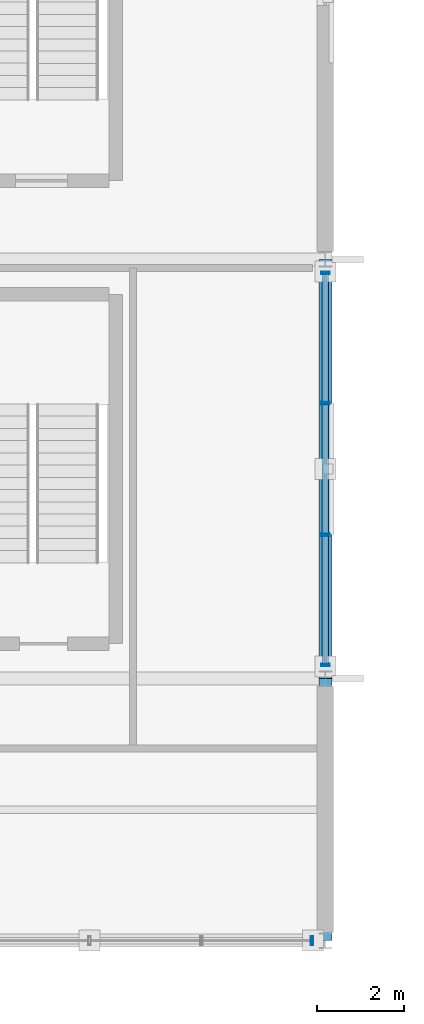
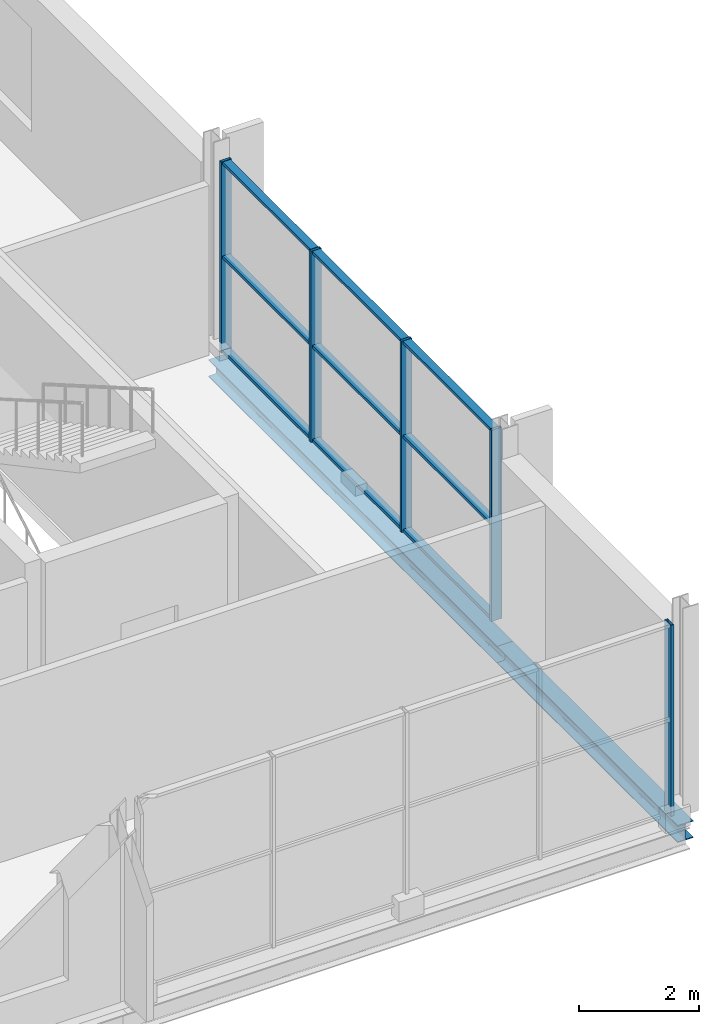
# One storey, part 84 of 117: 14 members, 2 beams, 2 elements without a shape of their own.
"""IFC4 building model written with IfcOpenShell, lengths in metres."""

from ifc_helpers import new_model, si_unit, direction, frame, origin, origin_2d, place, context, subcontext, project, spatial, hollow_rectangle, i_section, extrude, material, material_profile, profile_set, type_object, element, aggregate, save


model = new_model("IFC4")

# Units and contexts
model_context = context("Model", 3, precision=1e-05, world=origin(), true_north=direction((0.0, 1.0)))
body_context = subcontext(model_context, "Body", "Model", "MODEL_VIEW")
ifc_project = project(units=[si_unit("LENGTHUNIT", "METRE"), si_unit("AREAUNIT", "SQUARE_METRE"), si_unit("VOLUMEUNIT", "CUBIC_METRE"), si_unit("PLANEANGLEUNIT", "RADIAN"), si_unit("MASSUNIT", "GRAM", prefix="KILO")], contexts=[model_context])

# Site, building, storey
site_placement = place(None, origin())
site = spatial("IfcSite", under=ifc_project, at=site_placement, CompositionType="ELEMENT")
building_placement = place(site_placement, origin())
building = spatial("IfcBuilding", under=site, at=building_placement, Name="Merenkruunu Market Hall", CompositionType="ELEMENT")
storey_placement = place(building_placement, frame((0.0, 0.0, 10.199951171875)))
storey = spatial("IfcBuildingStorey", under=building, at=storey_placement, Name="L02", CompositionType="ELEMENT", Elevation=10.199951171875)

# Curtain wall, member
ifc_material_1 = material(Name="Powder-coated aluminium", Category="aluminium")
curtain_wall_type = type_object("IfcCurtainWallType", Name="Glazed Curtain Wall CW07", PredefinedType="USERDEFINED", material=ifc_material_1)
curtain_wall_1_placement = place(storey_placement, origin())
curtain_wall_1 = element("IfcCurtainWall", 1, at=curtain_wall_1_placement, inside=storey, type_object=curtain_wall_type, Name="CW-L02-CWM03-216", ObjectType="GLAZED_FACADE", PredefinedType="USERDEFINED")
ifc_material_profile_1 = material_profile(ifc_material_1, hollow_rectangle(XDim=0.06005859375, YDim=0.199951171875, WallThickness=0.0048828125, at=origin_2d()), Name="ALU 60x200x5")
ifc_profile_set_1 = profile_set([ifc_material_profile_1], Name="Powder-coated aluminium")
member_type_1 = type_object("IfcMemberType", Name="Curtain Wall Mullion CWM03", PredefinedType="MULLION", material=ifc_profile_set_1)
member_1_placement = place(storey_placement, frame((191.68994140625, 0.0, 0.0), z_axis=(0.0, 0.0, 1.0), x_axis=(-1.0, 0.0, 0.0)))
member_1 = element("IfcMember", 2, at=member_1_placement, type_object=member_type_1, Name="CW07 mullion 1", PredefinedType="MULLION", context=body_context, shape_type="SweptSolid", body=[
    extrude(hollow_rectangle(XDim=0.06005859375, YDim=0.199951171875, WallThickness=0.0048828125, at=origin_2d()), origin(), (0.0, 0.0, 1.0), 3.880126953125),
])
aggregate(curtain_wall_1, [member_1])

# Curtain wall, members
curtain_wall_2_placement = place(storey_placement, origin())
curtain_wall_2 = element("IfcCurtainWall", 3, at=curtain_wall_2_placement, inside=storey, type_object=curtain_wall_type, Name="CW-L02-CWM03-217", ObjectType="GLAZED_FACADE", PredefinedType="USERDEFINED")
member_2_placement = place(storey_placement, frame((192.0, 15.2900390625, 0.0), z_axis=(0.0, 0.0, 1.0), x_axis=(0.0, -1.0, 0.0)))
member_2 = element("IfcMember", 4, at=member_2_placement, type_object=member_type_1, Name="CW07 mullion 1", PredefinedType="MULLION", context=body_context, shape_type="SweptSolid", body=[
    extrude(hollow_rectangle(XDim=0.06005859375, YDim=0.199951171875, WallThickness=0.0048828125, at=origin_2d()), origin(), (0.0, 0.0, 1.0), 3.880126953125),
])
member_3_placement = place(storey_placement, frame((192.0, 12.306640625, 0.0), z_axis=(0.0, 0.0, 1.0), x_axis=(0.0, -1.0, 0.0)))
member_3 = element("IfcMember", 5, at=member_3_placement, type_object=member_type_1, Name="CW07 mullion 2", PredefinedType="MULLION", context=body_context, shape_type="SweptSolid", body=[
    extrude(hollow_rectangle(XDim=0.06005859375, YDim=0.199951171875, WallThickness=0.0048828125, at=origin_2d()), origin(), (0.0, 0.0, 1.0), 3.880126953125),
])
member_4_placement = place(storey_placement, frame((192.0, 9.293212890625, 0.0), z_axis=(0.0, 0.0, 1.0), x_axis=(0.0, -1.0, 0.0)))
member_4 = element("IfcMember", 6, at=member_4_placement, type_object=member_type_1, Name="CW07 mullion 3", PredefinedType="MULLION", context=body_context, shape_type="SweptSolid", body=[
    extrude(hollow_rectangle(XDim=0.06005859375, YDim=0.199951171875, WallThickness=0.0048828125, at=origin_2d()), origin(), (0.0, 0.0, 1.0), 3.880126953125),
])
member_5_placement = place(storey_placement, frame((192.0, 6.31005859375, 0.0), z_axis=(0.0, 0.0, 1.0), x_axis=(0.0, -1.0, 0.0)))
member_5 = element("IfcMember", 7, at=member_5_placement, type_object=member_type_1, Name="CW07 mullion 4", PredefinedType="MULLION", context=body_context, shape_type="SweptSolid", body=[
    extrude(hollow_rectangle(XDim=0.06005859375, YDim=0.199951171875, WallThickness=0.0048828125, at=origin_2d()), origin(), (0.0, 0.0, 1.0), 3.880126953125),
])
ifc_material_profile_2 = material_profile(ifc_material_1, hollow_rectangle(XDim=0.06005859375, YDim=0.14990234375, WallThickness=0.00390625, at=origin_2d()), Name="ALU 60x150x4")
ifc_profile_set_2 = profile_set([ifc_material_profile_2], Name="Powder-coated aluminium")
member_type_2 = type_object("IfcMemberType", Name="Curtain Wall Transom CWT04", PredefinedType="USERDEFINED", material=ifc_profile_set_2)
member_6_placement = place(storey_placement, frame((192.0, 15.260009765625, 0.030029296875), z_axis=(0.0, -1.0, 0.0), x_axis=(0.0, 0.0, 1.0)))
member_6 = element("IfcMember", 8, at=member_6_placement, type_object=member_type_2, Name="CW07 transom 1.1", ObjectType="TRANSOM", PredefinedType="USERDEFINED", context=body_context, shape_type="SweptSolid", body=[
    extrude(hollow_rectangle(XDim=0.06005859375, YDim=0.14990234375, WallThickness=0.00390625, at=origin_2d()), origin(), (0.0, 0.0, 1.0), 2.92333984375),
])
member_7_placement = place(storey_placement, frame((192.0, 15.260009765625, 1.93994140625), z_axis=(0.0, -1.0, 0.0), x_axis=(0.0, 0.0, 1.0)))
member_7 = element("IfcMember", 9, at=member_7_placement, type_object=member_type_2, Name="CW07 transom 1.2", ObjectType="TRANSOM", PredefinedType="USERDEFINED", context=body_context, shape_type="SweptSolid", body=[
    extrude(hollow_rectangle(XDim=0.06005859375, YDim=0.14990234375, WallThickness=0.00390625, at=origin_2d()), origin(), (0.0, 0.0, 1.0), 2.92333984375),
])
member_8_placement = place(storey_placement, frame((192.0, 15.260009765625, 3.85009765625), z_axis=(0.0, -1.0, 0.0), x_axis=(0.0, 0.0, 1.0)))
member_8 = element("IfcMember", 10, at=member_8_placement, type_object=member_type_2, Name="CW07 transom 1.3", ObjectType="TRANSOM", PredefinedType="USERDEFINED", context=body_context, shape_type="SweptSolid", body=[
    extrude(hollow_rectangle(XDim=0.06005859375, YDim=0.14990234375, WallThickness=0.00390625, at=origin_2d()), origin(), (0.0, 0.0, 1.0), 2.92333984375),
])
member_9_placement = place(storey_placement, frame((192.0, 12.276611328125, 0.030029296875), z_axis=(0.0, -1.0, 0.0), x_axis=(0.0, 0.0, 1.0)))
member_9 = element("IfcMember", 11, at=member_9_placement, type_object=member_type_2, Name="CW07 transom 2.1", ObjectType="TRANSOM", PredefinedType="USERDEFINED", context=body_context, shape_type="SweptSolid", body=[
    extrude(hollow_rectangle(XDim=0.06005859375, YDim=0.14990234375, WallThickness=0.00390625, at=origin_2d()), origin(), (0.0, 0.0, 1.0), 2.953369140625),
])
member_10_placement = place(storey_placement, frame((192.0, 12.276611328125, 1.93994140625), z_axis=(0.0, -1.0, 0.0), x_axis=(0.0, 0.0, 1.0)))
member_10 = element("IfcMember", 12, at=member_10_placement, type_object=member_type_2, Name="CW07 transom 2.2", ObjectType="TRANSOM", PredefinedType="USERDEFINED", context=body_context, shape_type="SweptSolid", body=[
    extrude(hollow_rectangle(XDim=0.06005859375, YDim=0.14990234375, WallThickness=0.00390625, at=origin_2d()), origin(), (0.0, 0.0, 1.0), 2.953369140625),
])
member_11_placement = place(storey_placement, frame((192.0, 12.276611328125, 3.85009765625), z_axis=(0.0, -1.0, 0.0), x_axis=(0.0, 0.0, 1.0)))
member_11 = element("IfcMember", 13, at=member_11_placement, type_object=member_type_2, Name="CW07 transom 2.3", ObjectType="TRANSOM", PredefinedType="USERDEFINED", context=body_context, shape_type="SweptSolid", body=[
    extrude(hollow_rectangle(XDim=0.06005859375, YDim=0.14990234375, WallThickness=0.00390625, at=origin_2d()), origin(), (0.0, 0.0, 1.0), 2.953369140625),
])
member_12_placement = place(storey_placement, frame((192.0, 9.263427734375, 0.030029296875), z_axis=(0.0, -1.0, 0.0), x_axis=(0.0, 0.0, 1.0)))
member_12 = element("IfcMember", 14, at=member_12_placement, type_object=member_type_2, Name="CW07 transom 3.1", ObjectType="TRANSOM", PredefinedType="USERDEFINED", context=body_context, shape_type="SweptSolid", body=[
    extrude(hollow_rectangle(XDim=0.06005859375, YDim=0.14990234375, WallThickness=0.00390625, at=origin_2d()), origin(), (0.0, 0.0, 1.0), 2.92333984375),
])
member_13_placement = place(storey_placement, frame((192.0, 9.263427734375, 1.93994140625), z_axis=(0.0, -1.0, 0.0), x_axis=(0.0, 0.0, 1.0)))
member_13 = element("IfcMember", 15, at=member_13_placement, type_object=member_type_2, Name="CW07 transom 3.2", ObjectType="TRANSOM", PredefinedType="USERDEFINED", context=body_context, shape_type="SweptSolid", body=[
    extrude(hollow_rectangle(XDim=0.06005859375, YDim=0.14990234375, WallThickness=0.00390625, at=origin_2d()), origin(), (0.0, 0.0, 1.0), 2.92333984375),
])
member_14_placement = place(storey_placement, frame((192.0, 9.263427734375, 3.85009765625), z_axis=(0.0, -1.0, 0.0), x_axis=(0.0, 0.0, 1.0)))
member_14 = element("IfcMember", 16, at=member_14_placement, type_object=member_type_2, Name="CW07 transom 3.3", ObjectType="TRANSOM", PredefinedType="USERDEFINED", context=body_context, shape_type="SweptSolid", body=[
    extrude(hollow_rectangle(XDim=0.06005859375, YDim=0.14990234375, WallThickness=0.00390625, at=origin_2d()), origin(), (0.0, 0.0, 1.0), 2.92333984375),
])
aggregate(curtain_wall_2, [member_2, member_3, member_4, member_5, member_6, member_7, member_8, member_9, member_10, member_11, member_12, member_13, member_14])

# Beams
ifc_material_2 = material(Name="Steel S355J2", Category="steel")
ifc_material_profile_3 = material_profile(ifc_material_2, i_section(OverallWidth=0.300048828125, OverallDepth=0.35009765625, WebThickness=0.010009765625, FlangeThickness=0.017578125, FilletRadius=0.027099609375, at=origin_2d()), Name="HEA 360")
ifc_profile_set_3 = profile_set([ifc_material_profile_3], Name="Steel S355J2")
beam_type = type_object("IfcBeamType", Name="Primary Floor Girder B08", PredefinedType="BEAM", material=ifc_profile_set_3)
beam_1_placement = place(storey_placement, frame((192.0, 0.0, -0.48486328125), z_axis=(0.0, 1.0, 0.0), x_axis=(-1.0, 0.0, 0.0)))
element("IfcBeam", 17, at=beam_1_placement, inside=storey, type_object=beam_type, Name="BM-L02-B08-0812", PredefinedType="BEAM", context=body_context, shape_type="SweptSolid", body=[
    extrude(i_section(OverallWidth=0.300048828125, OverallDepth=0.35009765625, WebThickness=0.010009765625, FlangeThickness=0.017578125, FilletRadius=0.027099609375, at=origin_2d()), origin(), (0.0, 0.0, 1.0), 6.0),
])
beam_2_placement = place(storey_placement, frame((192.0, 6.0, -0.48486328125), z_axis=(0.0, 1.0, 0.0), x_axis=(-1.0, 0.0, 0.0)))
element("IfcBeam", 18, at=beam_2_placement, inside=storey, type_object=beam_type, Name="BM-L02-B08-0813", PredefinedType="BEAM", context=body_context, shape_type="SweptSolid", body=[
    extrude(i_section(OverallWidth=0.300048828125, OverallDepth=0.35009765625, WebThickness=0.010009765625, FlangeThickness=0.017578125, FilletRadius=0.027099609375, at=origin_2d()), origin(), (0.0, 0.0, 1.0), 9.60009765625),
])

save(model, "model.ifc")
